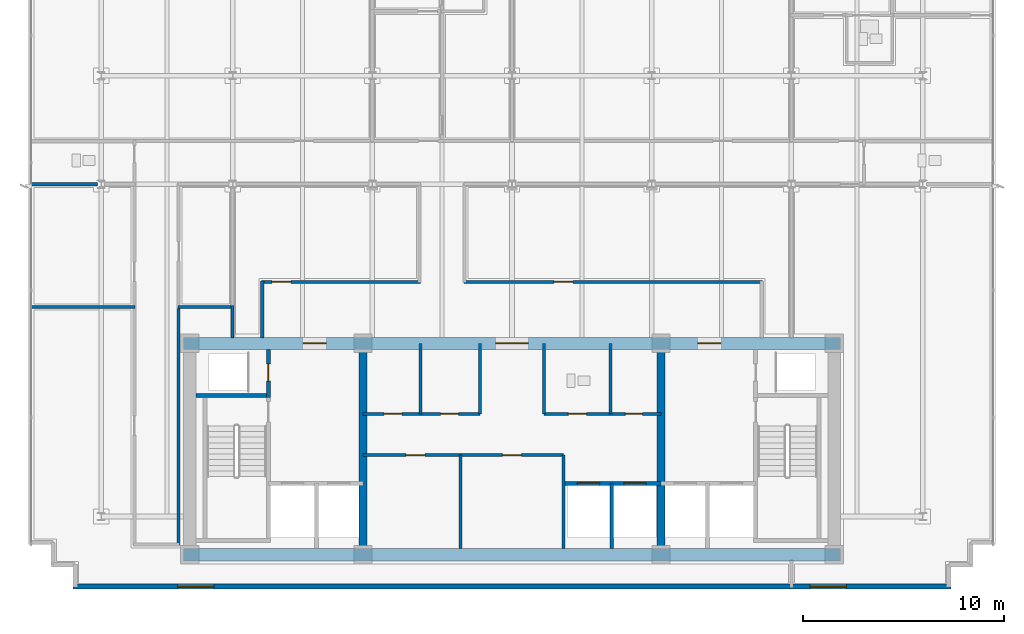
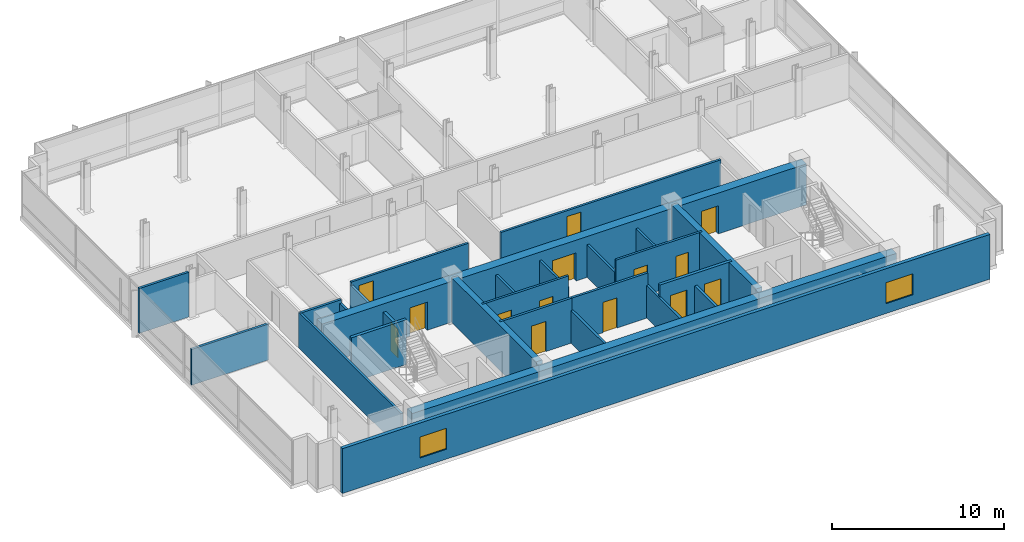
# One storey, part 10 of 18: 27 walls, 14 doors, 2 windows, 16 openings.
"""IFC4 building model written with IfcOpenShell, lengths in metres."""

import ifcopenshell
import ifcopenshell.guid

model = None  # the IFC model being written
_history = None  # IfcOwnerHistory: only IFC2X3 demands one
_inside = {}  # id of a spatial element -> (the spatial element, [elements in it])
_under = {}  # id of a project, library or spatial element -> (it, [spatial elements below it])
_declared = {}  # id of a project -> (the project, [libraries it declares])
_typed = {}  # id of a type object -> (the type object, [elements of that type])
_made_of = {}  # id of a material, layer set ... -> (it, [elements and type objects made of it])


def new_model(schema):
    """Start an empty IFC model of exactly this schema.

    Asked for "IFC4X3", IfcOpenShell would pick the latest addendum, in which some entities
    have other attributes; the version numbers below select the first issue.
    IFC2X3 requires an IfcOwnerHistory on every rooted entity: one is made here for all.
    """
    global model, _history
    if schema == "IFC4X3":
        model = ifcopenshell.file(schema_version=(4, 3, 0, 0))
    else:
        model = ifcopenshell.file(schema=schema)
    _inside.clear()
    _under.clear()
    _declared.clear()
    _typed.clear()
    _made_of.clear()
    _history = None
    if model.schema == "IFC2X3":
        org = make("IfcOrganization", Name="unknown")
        user = make(
            "IfcPersonAndOrganization",
            ThePerson=make("IfcPerson", FamilyName="unknown"),
            TheOrganization=org,
        )
        app = make(
            "IfcApplication",
            ApplicationDeveloper=org,
            Version="unknown",
            ApplicationFullName="unknown",
            ApplicationIdentifier="unknown",
        )
        _history = make(
            "IfcOwnerHistory",
            OwningUser=user,
            OwningApplication=app,
            ChangeAction="ADDED",
            CreationDate=0,
        )
    return model


def make(cls, **values):
    """One entity of the class cls with the attributes given. An attribute that is None is left unset."""
    return model.create_entity(
        cls, **{name: value for name, value in values.items() if value is not None}
    )


def rooted(cls, **values):
    """An entity with a GlobalId (a new one), such as an element, a storey or a relation."""
    return make(cls, GlobalId=ifcopenshell.guid.new(), OwnerHistory=_history, **values)


def si_unit(unit_type, name, prefix=None):
    """IfcSIUnit, for example si_unit("LENGTHUNIT", "METRE", prefix="MILLI")."""
    return make("IfcSIUnit", UnitType=unit_type, Prefix=prefix, Name=name)


def assignment(units):
    """IfcUnitAssignment: the units of a project."""
    return None if units is None else make("IfcUnitAssignment", Units=units)


def point(xyz):
    """IfcCartesianPoint."""
    return None if xyz is None else make("IfcCartesianPoint", Coordinates=xyz)


def direction(xyz):
    """IfcDirection."""
    return None if xyz is None else make("IfcDirection", DirectionRatios=xyz)


def frame(location, z_axis=None, x_axis=None):
    """IfcAxis2Placement3D, a coordinate frame: its origin and axes. An axis left out is left unset."""
    return make(
        "IfcAxis2Placement3D",
        Location=point(location),
        Axis=direction(z_axis),
        RefDirection=direction(x_axis),
    )


def frame_2d(location, x_axis=None):
    """IfcAxis2Placement2D, a coordinate frame in the plane: its origin and x axis."""
    return make(
        "IfcAxis2Placement2D", Location=point(location), RefDirection=direction(x_axis)
    )


def origin():
    """The frame at (0, 0, 0) with its axes left unset."""
    return frame((0.0, 0.0, 0.0))


def place(relative_to, where):
    """IfcLocalPlacement: puts the frame where relative to a parent placement (None: the world)."""
    return make(
        "IfcLocalPlacement", PlacementRelTo=relative_to, RelativePlacement=where
    )


def context(
    kind, dimensions, precision=None, world=None, true_north=None, identifier=None
):
    """IfcGeometricRepresentationContext, for example the 3D "Model" context."""
    return make(
        "IfcGeometricRepresentationContext",
        ContextIdentifier=identifier,
        ContextType=kind,
        CoordinateSpaceDimension=dimensions,
        Precision=precision,
        WorldCoordinateSystem=world,
        TrueNorth=true_north,
    )


def subcontext(parent, identifier, kind, view, scale=None):
    """IfcGeometricRepresentationSubContext, for example "Body" below "Model"."""
    return make(
        "IfcGeometricRepresentationSubContext",
        ContextIdentifier=identifier,
        ContextType=kind,
        ParentContext=parent,
        TargetScale=scale,
        TargetView=view,
    )


def project(units=None, contexts=None):
    """IfcProject with its units and contexts."""
    return rooted(
        "IfcProject",
        Name="project",
        RepresentationContexts=contexts,
        UnitsInContext=assignment(units),
    )


def spatial(cls, under=None, at=None, **own):
    """A site, building, storey or space (cls), placed at a placement, below another one or the project."""
    s = rooted(cls, ObjectPlacement=at, **own)
    if under is not None:
        _under.setdefault(under.id(), (under, []))[1].append(s)
    return s


def profile(cls, at=None, kind="AREA", **sizes):
    """A parametric profile (cls). Its sizes go by their IFC names, for example OverallWidth=200.0."""
    return make(cls, ProfileType=kind, Position=at, **sizes)


def rectangle(**sizes):
    """IfcRectangleProfileDef."""
    return profile("IfcRectangleProfileDef", **sizes)


def extrude(swept, where, along, depth):
    """IfcExtrudedAreaSolid: the profile swept, set in the frame where, extruded along a direction by depth."""
    return make(
        "IfcExtrudedAreaSolid",
        SweptArea=swept,
        Position=where,
        ExtrudedDirection=direction(along),
        Depth=depth,
    )


def shape(context_of_items, identifier, shape_type, items):
    """IfcShapeRepresentation: the items that make up one representation, for example the "Body"."""
    return make(
        "IfcShapeRepresentation",
        ContextOfItems=context_of_items,
        RepresentationIdentifier=identifier,
        RepresentationType=shape_type,
        Items=items,
    )


def material(Name=None, Category=None):
    """IfcMaterial."""
    return make("IfcMaterial", Name=Name, Category=Category)


def layer(
    of_material, thickness, ventilated=None, Name=None, Category=None, Priority=None
):
    """IfcMaterialLayer: one layer of a wall or slab, of a material (None: an air gap)."""
    return make(
        "IfcMaterialLayer",
        Material=of_material,
        LayerThickness=thickness,
        IsVentilated=ventilated,
        Name=Name,
        Category=Category,
        Priority=Priority,
    )


def layer_set(layers, Name=None):
    """IfcMaterialLayerSet."""
    return make("IfcMaterialLayerSet", MaterialLayers=layers, LayerSetName=Name)


def made_of(thing, what):
    """Note that an element or type object is made of a material, layer set ...; save() writes the relation."""
    if what is not None:
        _made_of.setdefault(what.id(), (what, []))[1].append(thing)
    return thing


def type_object(cls, material=None, **own):
    """A type object (cls), such as IfcWallType, which elements share."""
    return made_of(rooted(cls, **own), material)


def element(
    cls,
    number,
    at=None,
    inside=None,
    cuts=None,
    type_object=None,
    material=None,
    context=None,
    identifier="Body",
    shape_type=None,
    held_by="IfcProductDefinitionShape",
    body=None,
    shapes=None,
    **own,
):
    """One element of the class cls, such as IfcWall. Its Tag is "e" and its number.

    at: its placement. inside: the storey or other place that contains it. cuts: it is an
    opening in that element (IfcRelVoidsElement). A single representation is given by context,
    identifier, shape_type and body (its items); several are given by shapes. held_by: the class
    of the entity that holds the representations. save() writes the other relations.
    """
    e = rooted(cls, Tag="e%d" % number, ObjectPlacement=at, **own)
    if body is not None:
        shapes = [shape(context, identifier, shape_type, body)]
    if shapes is not None:
        e.Representation = make(held_by, Representations=shapes)
    if inside is not None:
        _inside.setdefault(inside.id(), (inside, []))[1].append(e)
    if cuts is not None:
        rooted(
            "IfcRelVoidsElement", RelatingBuildingElement=cuts, RelatedOpeningElement=e
        )
    if type_object is not None:
        _typed.setdefault(type_object.id(), (type_object, []))[1].append(e)
    return made_of(e, material)


def fill(opening, filler):
    """IfcRelFillsElement: the door or window that sits in an opening."""
    return rooted(
        "IfcRelFillsElement",
        RelatingOpeningElement=opening,
        RelatedBuildingElement=filler,
    )


def aggregate(whole, parts):
    """IfcRelAggregates: a whole, such as a stair, and the parts it consists of."""
    return rooted("IfcRelAggregates", RelatingObject=whole, RelatedObjects=parts)


def save(model, path):
    """Write the relations noted so far, then the file.

    IfcRelAggregates (storeys below a building ...), IfcRelContainedInSpatialStructure (elements
    in a storey), IfcRelDefinesByType, IfcRelAssociatesMaterial and IfcRelDeclares: one each for
    every whole, place, type object, material and project.
    """
    for whole, parts in _under.values():
        aggregate(whole, parts)
    for where, things in _inside.values():
        rooted(
            "IfcRelContainedInSpatialStructure",
            RelatedElements=things,
            RelatingStructure=where,
        )
    for kind, things in _typed.values():
        rooted("IfcRelDefinesByType", RelatedObjects=things, RelatingType=kind)
    for what, things in _made_of.values():
        rooted("IfcRelAssociatesMaterial", RelatedObjects=things, RelatingMaterial=what)
    for by, libraries in _declared.values():
        rooted("IfcRelDeclares", RelatingContext=by, RelatedDefinitions=libraries)
    model.write(path)


model = new_model("IFC4")

# Units and contexts
model_context = context("Model", 3, precision=1e-05, world=origin(), true_north=direction((0.0, 1.0)))
body_context = subcontext(model_context, "Body", "Model", "MODEL_VIEW")
ifc_project = project(units=[si_unit("LENGTHUNIT", "METRE"), si_unit("AREAUNIT", "SQUARE_METRE"), si_unit("VOLUMEUNIT", "CUBIC_METRE"), si_unit("PLANEANGLEUNIT", "RADIAN"), si_unit("MASSUNIT", "GRAM", prefix="KILO")], contexts=[model_context])

# Site, building, storey
site_placement = place(None, origin())
site = spatial("IfcSite", under=ifc_project, at=site_placement, CompositionType="ELEMENT")
building_placement = place(site_placement, origin())
building = spatial("IfcBuilding", under=site, at=building_placement, Name="Solmavex Isthmus Hotel", CompositionType="ELEMENT")
storey_placement = place(building_placement, frame((0.0, 0.0, 283.35009765625)))
storey = spatial("IfcBuildingStorey", under=building, at=storey_placement, Name="L77", CompositionType="ELEMENT", Elevation=283.35009765625)

# Wall, openings, windows
ifc_material_1 = material(Name="Precast Concrete C40/50", Category="concrete")
ifc_layer_1 = layer(ifc_material_1, 0.25)
ifc_layer_set_1 = layer_set([ifc_layer_1], Name="Precast Concrete C40/50")
wall_type_1 = type_object("IfcWallType", Name="EW-TWR-250", PredefinedType="STANDARD", material=ifc_layer_set_1)
wall_1_placement = place(storey_placement, frame((-21.800048828125, -14.580078125, 0.0), z_axis=(0.0, 0.0, 1.0), x_axis=(1.0, 0.0, 0.0)))
wall_1 = element("IfcWall", 1, at=wall_1_placement, inside=storey, type_object=wall_type_1, Name="Tower Rear South Facade Wall L77", PredefinedType="STANDARD", context=body_context, shape_type="SweptSolid", body=[
    extrude(rectangle(XDim=43.60009765625, YDim=0.239990234375, at=frame_2d((21.800048828125, 0.0))), origin(), (0.0, 0.0, 1.0), 3.18994140625),
])
opening_1_placement = place(wall_1_placement, frame((5.2041015625, 0.0, 0.699951171875)))
opening_1 = element("IfcOpeningElement", 2, at=opening_1_placement, cuts=wall_1, Name="Opening WN-02", PredefinedType="OPENING", context=body_context, shape_type="SweptSolid", body=[
    extrude(rectangle(XDim=1.800048828125, YDim=1.5, at=frame_2d((0.89990234375, 0.75))), frame((0.0, 0.1298828125, 0.0), z_axis=(0.0, -1.0, 0.0), x_axis=(1.0, 0.0, 0.0)), (0.0, 0.0, 1.0), 0.260009765625),
])
opening_2_placement = place(wall_1_placement, frame((36.595947265625, 0.0, 0.699951171875)))
opening_2 = element("IfcOpeningElement", 3, at=opening_2_placement, cuts=wall_1, Name="Opening WN-02", PredefinedType="OPENING", context=body_context, shape_type="SweptSolid", body=[
    extrude(rectangle(XDim=1.800048828125, YDim=1.5, at=frame_2d((0.89990234375, 0.75))), frame((0.0, 0.1298828125, 0.0), z_axis=(0.0, -1.0, 0.0), x_axis=(1.0, 0.0, 0.0)), (0.0, 0.0, 1.0), 0.260009765625),
])
ifc_material_2 = material(Name="Clear low-E laminated glass", Category="glass")
window_type = type_object("IfcWindowType", Name="WIN-TWR-1800", PartitioningType="SINGLE_PANEL", PredefinedType="WINDOW", material=ifc_material_2)
window_1_placement = place(opening_1_placement, origin())
window_1 = element("IfcWindow", 4, at=window_1_placement, inside=storey, type_object=window_type, Name="South Facade Vision Window L77-S1", OverallHeight=1.5, OverallWidth=1.800048828125, PartitioningType="SINGLE_PANEL", PredefinedType="WINDOW", context=body_context, shape_type="SweptSolid", body=[
    extrude(rectangle(XDim=1.800048828125, YDim=1.5, at=frame_2d((0.89990234375, 0.75))), frame((0.0, 0.030029296875, 0.0), z_axis=(0.0, -1.0, 0.0), x_axis=(1.0, 0.0, 0.0)), (0.0, 0.0, 1.0), 0.06005859375),
])
fill(opening_1, window_1)
window_2_placement = place(opening_2_placement, origin())
window_2 = element("IfcWindow", 5, at=window_2_placement, inside=storey, type_object=window_type, Name="South Facade Vision Window L77-S2", OverallHeight=1.5, OverallWidth=1.800048828125, PartitioningType="SINGLE_PANEL", PredefinedType="WINDOW", context=body_context, shape_type="SweptSolid", body=[
    extrude(rectangle(XDim=1.800048828125, YDim=1.5, at=frame_2d((0.89990234375, 0.75))), frame((0.0, 0.030029296875, 0.0), z_axis=(0.0, -1.0, 0.0), x_axis=(1.0, 0.0, 0.0)), (0.0, 0.0, 1.0), 0.06005859375),
])
fill(opening_2, window_2)

# Wall, opening, door
ifc_material_3 = material(Name="Gypsum plasterboard lining", Category="gypsum")
ifc_layer_2 = layer(ifc_material_3, 0.159912109375)
ifc_layer_set_2 = layer_set([ifc_layer_2], Name="Gypsum plasterboard lining")
wall_type_2 = type_object("IfcWallType", Name="IW-COMP-160", PredefinedType="PARTITIONING", material=ifc_layer_set_2)
wall_2_placement = place(storey_placement, frame((-7.39990234375, -8.050048828125, 0.0), z_axis=(0.0, 0.0, 1.0), x_axis=(1.0, 0.0, 0.0)))
wall_2 = element("IfcWall", 6, at=wall_2_placement, inside=storey, type_object=wall_type_2, Name="Interior Partition Wall W-L77-REC-PLL-N", PredefinedType="PARTITIONING", context=body_context, shape_type="SweptSolid", body=[
    extrude(rectangle(XDim=4.849853515625, YDim=0.159912109375, at=frame_2d((2.4248046875, 0.0))), origin(), (0.0, 0.0, 1.0), 3.18994140625),
])
opening_3_placement = place(wall_2_placement, frame((2.125, 0.0, 0.0)))
opening_3 = element("IfcOpeningElement", 7, at=opening_3_placement, cuts=wall_2, Name="Opening ID-C095", PredefinedType="OPENING", context=body_context, shape_type="SweptSolid", body=[
    extrude(rectangle(XDim=0.949951171875, YDim=2.14990234375, at=frame_2d((0.47509765625, 1.074951171875))), frame((0.0, 0.08984375, 0.0), z_axis=(0.0, -1.0, 0.0), x_axis=(1.0, 0.0, 0.0)), (0.0, 0.0, 1.0), 0.179931640625),
])
ifc_material_4 = material(Name="Hardwood timber", Category="wood")
door_type_1 = type_object("IfcDoorType", Name="IDR-FD60-0950", OperationType="NOTDEFINED", PredefinedType="DOOR", material=ifc_material_4)
door_1_placement = place(opening_3_placement, origin())
door_1 = element("IfcDoor", 8, at=door_1_placement, inside=storey, type_object=door_type_1, Name="Linen Reserve Door L77", OperationType="SINGLE_SWING_LEFT", OverallHeight=2.14990234375, OverallWidth=0.949951171875, PredefinedType="DOOR", context=body_context, shape_type="SweptSolid", body=[
    extrude(rectangle(XDim=0.949951171875, YDim=2.14990234375, at=frame_2d((0.47509765625, 1.074951171875))), frame((0.0, 0.02490234375, 0.0), z_axis=(0.0, -1.0, 0.0), x_axis=(1.0, 0.0, 0.0)), (0.0, 0.0, 1.0), 0.050048828125),
])
fill(opening_3, door_1)

# Wall
wall_3_placement = place(storey_placement, frame((-2.550048828125, -12.699951171875, 0.0), z_axis=(0.0, 0.0, 1.0), x_axis=(0.0, 1.0, 0.0)))
element("IfcWall", 9, at=wall_3_placement, inside=storey, type_object=wall_type_2, Name="Interior Partition Wall W-L77-REC-PLL-E", PredefinedType="PARTITIONING", context=body_context, shape_type="SweptSolid", body=[
    extrude(rectangle(XDim=4.64990234375, YDim=0.159912109375, at=frame_2d((2.324951171875, 0.0))), origin(), (0.0, 0.0, 1.0), 2.324951171875),
])

# Wall, opening, door
wall_4_placement = place(storey_placement, frame((-2.550048828125, -8.050048828125, 0.0), z_axis=(0.0, 0.0, 1.0), x_axis=(1.0, 0.0, 0.0)))
wall_4 = element("IfcWall", 10, at=wall_4_placement, inside=storey, type_object=wall_type_2, Name="Interior Partition Wall W-L77-REC-PLM-N", PredefinedType="PARTITIONING", context=body_context, shape_type="SweptSolid", body=[
    extrude(rectangle(XDim=5.10009765625, YDim=0.159912109375, at=frame_2d((2.550048828125, 0.0))), origin(), (0.0, 0.0, 1.0), 3.18994140625),
])
opening_4_placement = place(wall_4_placement, frame((2.074951171875, 0.0, 0.0)))
opening_4 = element("IfcOpeningElement", 11, at=opening_4_placement, cuts=wall_4, Name="Opening ID-C095", PredefinedType="OPENING", context=body_context, shape_type="SweptSolid", body=[
    extrude(rectangle(XDim=0.949951171875, YDim=2.14990234375, at=frame_2d((0.47509765625, 1.074951171875))), frame((0.0, 0.08984375, 0.0), z_axis=(0.0, -1.0, 0.0), x_axis=(1.0, 0.0, 0.0)), (0.0, 0.0, 1.0), 0.179931640625),
])
door_2_placement = place(opening_4_placement, origin())
door_2 = element("IfcDoor", 12, at=door_2_placement, inside=storey, type_object=door_type_1, Name="Butler Store Door L77", OperationType="SINGLE_SWING_RIGHT", OverallHeight=2.14990234375, OverallWidth=0.949951171875, PredefinedType="DOOR", context=body_context, shape_type="SweptSolid", body=[
    extrude(rectangle(XDim=0.949951171875, YDim=2.14990234375, at=frame_2d((0.47509765625, 1.074951171875))), frame((0.0, 0.02490234375, 0.0), z_axis=(0.0, -1.0, 0.0), x_axis=(1.0, 0.0, 0.0)), (0.0, 0.0, 1.0), 0.050048828125),
])
fill(opening_4, door_2)

# Walls
wall_5_placement = place(storey_placement, frame((2.550048828125, -12.699951171875, 0.0), z_axis=(0.0, 0.0, 1.0), x_axis=(0.0, 1.0, 0.0)))
element("IfcWall", 13, at=wall_5_placement, inside=storey, type_object=wall_type_2, Name="Interior Partition Wall W-L77-REC-PLM-E", PredefinedType="PARTITIONING", context=body_context, shape_type="SweptSolid", body=[
    extrude(rectangle(XDim=4.64990234375, YDim=0.159912109375, at=frame_2d((2.324951171875, 0.0))), origin(), (0.0, 0.0, 1.0), 2.324951171875),
])
wall_6_placement = place(storey_placement, frame((-20.574951171875, 5.39990234375, 0.0), z_axis=(0.0, 0.0, 1.0), x_axis=(-1.0, 0.0, 0.0)))
element("IfcWall", 14, at=wall_6_placement, inside=storey, type_object=wall_type_2, Name="Interior Partition Wall W-L77-P056", PredefinedType="PARTITIONING", context=body_context, shape_type="SweptSolid", body=[
    extrude(rectangle(XDim=3.344970703125, YDim=0.159912109375, at=frame_2d((1.67236328125, 0.0))), origin(), (0.0, 0.0, 1.0), 3.18994140625),
])
wall_7_placement = place(storey_placement, frame((-13.83203125, -0.699951171875, 0.0), z_axis=(0.0, 0.0, 1.0), x_axis=(-1.0, 0.0, 0.0)))
element("IfcWall", 15, at=wall_7_placement, inside=storey, type_object=wall_type_2, Name="Interior Partition Wall W-L77-P061", PredefinedType="PARTITIONING", context=body_context, shape_type="SweptSolid", body=[
    extrude(rectangle(XDim=2.758056640625, YDim=0.159912109375, at=frame_2d((1.37890625, 0.0))), origin(), (0.0, 0.0, 1.0), 2.572265625),
])
wall_8_placement = place(storey_placement, frame((-18.7099609375, -0.699951171875, 0.0), z_axis=(0.0, 0.0, 1.0), x_axis=(-1.0, 0.0, 0.0)))
element("IfcWall", 16, at=wall_8_placement, inside=storey, type_object=wall_type_2, Name="Interior Partition Wall W-L77-P062", PredefinedType="PARTITIONING", context=body_context, shape_type="SweptSolid", body=[
    extrude(rectangle(XDim=5.2099609375, YDim=0.159912109375, at=frame_2d((2.60498046875, 0.0))), origin(), (0.0, 0.0, 1.0), 2.557373046875),
])
wall_9_placement = place(storey_placement, frame((-13.8720703125, -2.239990234375, 0.0), z_axis=(0.0, 0.0, 1.0), x_axis=(0.0, 1.0, 0.0)))
element("IfcWall", 17, at=wall_9_placement, inside=storey, type_object=wall_type_2, Name="Interior Partition Wall W-L77-P063", PredefinedType="PARTITIONING", context=body_context, shape_type="SweptSolid", body=[
    extrude(rectangle(XDim=1.6220703125, YDim=0.159912109375, at=frame_2d((0.81103515625, 0.0))), origin(), (0.0, 0.0, 1.0), 2.324951171875),
])

# Wall, openings, doors
ifc_layer_3 = layer(ifc_material_3, 0.14990234375)
ifc_layer_set_3 = layer_set([ifc_layer_3], Name="Gypsum plasterboard lining")
wall_type_3 = type_object("IfcWallType", Name="IW-CORR-150", PredefinedType="PARTITIONING", material=ifc_layer_set_3)
wall_10_placement = place(storey_placement, frame((-7.39990234375, -6.0, 0.0), z_axis=(0.0, 0.0, 1.0), x_axis=(1.0, 0.0, 0.0)))
wall_10 = element("IfcWall", 18, at=wall_10_placement, inside=storey, type_object=wall_type_3, Name="Interior Partition Wall W-L77-BOH-WS", PredefinedType="PARTITIONING", context=body_context, shape_type="SweptSolid", body=[
    extrude(rectangle(XDim=5.7998046875, YDim=0.14990234375, at=frame_2d((2.89990234375, 0.0))), origin(), (0.0, 0.0, 1.0), 3.18994140625),
])
opening_5_placement = place(wall_10_placement, frame((1.050048828125, 0.0, 0.0)))
opening_5 = element("IfcOpeningElement", 19, at=opening_5_placement, cuts=wall_10, Name="Opening ID-C090", PredefinedType="OPENING", context=body_context, shape_type="SweptSolid", body=[
    extrude(rectangle(XDim=0.89990234375, YDim=2.10009765625, at=frame_2d((0.449951171875, 1.050048828125))), frame((0.0, 0.0849609375, 0.0), z_axis=(0.0, -1.0, 0.0), x_axis=(1.0, 0.0, 0.0)), (0.0, 0.0, 1.0), 0.169921875),
])
opening_6_placement = place(wall_10_placement, frame((3.85009765625, 0.0, 0.0)))
opening_6 = element("IfcOpeningElement", 20, at=opening_6_placement, cuts=wall_10, Name="Opening ID-C090", PredefinedType="OPENING", context=body_context, shape_type="SweptSolid", body=[
    extrude(rectangle(XDim=0.89990234375, YDim=2.10009765625, at=frame_2d((0.449951171875, 1.050048828125))), frame((0.0, 0.0849609375, 0.0), z_axis=(0.0, -1.0, 0.0), x_axis=(1.0, 0.0, 0.0)), (0.0, 0.0, 1.0), 0.169921875),
])
door_type_2 = type_object("IfcDoorType", Name="IDR-FD60-0900", OperationType="NOTDEFINED", PredefinedType="DOOR", material=ifc_material_4)
door_3_placement = place(opening_5_placement, frame((0.89990234375, 0.0, 0.0), z_axis=(0.0, 0.0, 1.0), x_axis=(-1.0, 0.0, 0.0)))
door_3 = element("IfcDoor", 21, at=door_3_placement, inside=storey, type_object=door_type_2, Name="Linen Room Door L77", OperationType="SINGLE_SWING_LEFT", OverallHeight=2.10009765625, OverallWidth=0.89990234375, PredefinedType="DOOR", context=body_context, shape_type="SweptSolid", body=[
    extrude(rectangle(XDim=0.89990234375, YDim=2.10009765625, at=frame_2d((0.449951171875, 1.050048828125))), frame((0.0, 0.02490234375, 0.0), z_axis=(0.0, -1.0, 0.0), x_axis=(1.0, 0.0, 0.0)), (0.0, 0.0, 1.0), 0.050048828125),
])
fill(opening_5, door_3)
door_4_placement = place(opening_6_placement, frame((0.89990234375, 0.0, 0.0), z_axis=(0.0, 0.0, 1.0), x_axis=(-1.0, 0.0, 0.0)))
door_4 = element("IfcDoor", 22, at=door_4_placement, inside=storey, type_object=door_type_2, Name="Ice Pantry Door L77", OperationType="SINGLE_SWING_RIGHT", OverallHeight=2.10009765625, OverallWidth=0.89990234375, PredefinedType="DOOR", context=body_context, shape_type="SweptSolid", body=[
    extrude(rectangle(XDim=0.89990234375, YDim=2.10009765625, at=frame_2d((0.449951171875, 1.050048828125))), frame((0.0, 0.02490234375, 0.0), z_axis=(0.0, -1.0, 0.0), x_axis=(1.0, 0.0, 0.0)), (0.0, 0.0, 1.0), 0.050048828125),
])
fill(opening_6, door_4)

# Wall
wall_11_placement = place(storey_placement, frame((-1.60009765625, -6.0, 0.0), z_axis=(0.0, 0.0, 1.0), x_axis=(0.0, 1.0, 0.0)))
element("IfcWall", 23, at=wall_11_placement, inside=storey, type_object=wall_type_3, Name="Interior Partition Wall W-L77-BOH-WE", PredefinedType="PARTITIONING", context=body_context, shape_type="SweptSolid", body=[
    extrude(rectangle(XDim=3.5, YDim=0.14990234375, at=frame_2d((1.75, 0.0))), origin(), (0.0, 0.0, 1.0), 2.324951171875),
])

# Wall, openings, doors
wall_12_placement = place(storey_placement, frame((1.60009765625, -6.0, 0.0), z_axis=(0.0, 0.0, 1.0), x_axis=(1.0, 0.0, 0.0)))
wall_12 = element("IfcWall", 24, at=wall_12_placement, inside=storey, type_object=wall_type_3, Name="Interior Partition Wall W-L77-BOH-ES", PredefinedType="PARTITIONING", context=body_context, shape_type="SweptSolid", body=[
    extrude(rectangle(XDim=5.7998046875, YDim=0.14990234375, at=frame_2d((2.89990234375, 0.0))), origin(), (0.0, 0.0, 1.0), 3.18994140625),
])
opening_7_placement = place(wall_12_placement, frame((1.199951171875, 0.0, 0.0)))
opening_7 = element("IfcOpeningElement", 25, at=opening_7_placement, cuts=wall_12, Name="Opening ID-C090", PredefinedType="OPENING", context=body_context, shape_type="SweptSolid", body=[
    extrude(rectangle(XDim=0.89990234375, YDim=2.10009765625, at=frame_2d((0.449951171875, 1.050048828125))), frame((0.0, 0.0849609375, 0.0), z_axis=(0.0, -1.0, 0.0), x_axis=(1.0, 0.0, 0.0)), (0.0, 0.0, 1.0), 0.169921875),
])
opening_8_placement = place(wall_12_placement, frame((4.02490234375, 0.0, 0.0)))
opening_8 = element("IfcOpeningElement", 26, at=opening_8_placement, cuts=wall_12, Name="Opening ID-R085", PredefinedType="OPENING", context=body_context, shape_type="SweptSolid", body=[
    extrude(rectangle(XDim=0.85009765625, YDim=2.050048828125, at=frame_2d((0.425048828125, 1.02490234375))), frame((0.0, 0.0849609375, 0.0), z_axis=(0.0, -1.0, 0.0), x_axis=(1.0, 0.0, 0.0)), (0.0, 0.0, 1.0), 0.169921875),
])
ifc_material_5 = material(Name="Steel ASTM A500 Grade C", Category="steel")
door_type_3 = type_object("IfcDoorType", Name="IDR-FD60-0850", OperationType="NOTDEFINED", PredefinedType="DOOR", material=ifc_material_5)
door_5_placement = place(opening_8_placement, frame((0.85009765625, 0.0, 0.0), z_axis=(0.0, 0.0, 1.0), x_axis=(-1.0, 0.0, 0.0)))
door_5 = element("IfcDoor", 27, at=door_5_placement, inside=storey, type_object=door_type_3, Name="IT Room Door L77", OperationType="SINGLE_SWING_RIGHT", OverallHeight=2.050048828125, OverallWidth=0.85009765625, PredefinedType="DOOR", context=body_context, shape_type="SweptSolid", body=[
    extrude(rectangle(XDim=0.85009765625, YDim=2.050048828125, at=frame_2d((0.425048828125, 1.02490234375))), frame((0.0, 0.02490234375, 0.0), z_axis=(0.0, -1.0, 0.0), x_axis=(1.0, 0.0, 0.0)), (0.0, 0.0, 1.0), 0.050048828125),
])
fill(opening_8, door_5)
door_6_placement = place(opening_7_placement, frame((0.89990234375, 0.0, 0.0), z_axis=(0.0, 0.0, 1.0), x_axis=(-1.0, 0.0, 0.0)))
door_6 = element("IfcDoor", 28, at=door_6_placement, inside=storey, type_object=door_type_2, Name="Staff Restroom Door L77", OperationType="SINGLE_SWING_LEFT", OverallHeight=2.10009765625, OverallWidth=0.89990234375, PredefinedType="DOOR", context=body_context, shape_type="SweptSolid", body=[
    extrude(rectangle(XDim=0.89990234375, YDim=2.10009765625, at=frame_2d((0.449951171875, 1.050048828125))), frame((0.0, 0.02490234375, 0.0), z_axis=(0.0, -1.0, 0.0), x_axis=(1.0, 0.0, 0.0)), (0.0, 0.0, 1.0), 0.050048828125),
])
fill(opening_7, door_6)

# Walls
wall_13_placement = place(storey_placement, frame((1.60009765625, -6.0, 0.0), z_axis=(0.0, 0.0, 1.0), x_axis=(0.0, 1.0, 0.0)))
element("IfcWall", 29, at=wall_13_placement, inside=storey, type_object=wall_type_3, Name="Interior Partition Wall W-L77-BOH-EW", PredefinedType="PARTITIONING", context=body_context, shape_type="SweptSolid", body=[
    extrude(rectangle(XDim=3.5, YDim=0.14990234375, at=frame_2d((1.75, 0.0))), origin(), (0.0, 0.0, 1.0), 2.324951171875),
])
wall_14_placement = place(storey_placement, frame((-12.39990234375, -2.239990234375, 0.0), z_axis=(0.0, 0.0, 1.0), x_axis=(0.0, 1.0, 0.0)))
element("IfcWall", 30, at=wall_14_placement, inside=storey, type_object=wall_type_3, Name="Interior Partition Wall W-L77-P011", PredefinedType="PARTITIONING", context=body_context, shape_type="SweptSolid", body=[
    extrude(rectangle(XDim=2.830078125, YDim=0.14990234375, at=frame_2d((1.4150390625, 0.0))), origin(), (0.0, 0.0, 1.0), 2.324951171875),
])

# Wall, opening, door
wall_15_placement = place(storey_placement, frame((-12.43994140625, 0.550048828125, 0.0), z_axis=(0.0, 0.0, 1.0), x_axis=(1.0, 0.0, 0.0)))
wall_15 = element("IfcWall", 31, at=wall_15_placement, inside=storey, type_object=wall_type_3, Name="Interior Partition Wall W-L77-P012", PredefinedType="PARTITIONING", context=body_context, shape_type="SweptSolid", body=[
    extrude(rectangle(XDim=7.891845703125, YDim=0.14990234375, at=frame_2d((3.94580078125, 0.0))), origin(), (0.0, 0.0, 1.0), 2.572265625),
])
opening_9_placement = place(wall_15_placement, frame((0.51806640625, 0.0, 0.0)))
opening_9 = element("IfcOpeningElement", 32, at=opening_9_placement, cuts=wall_15, Name="Opening ID-C095", PredefinedType="OPENING", context=body_context, shape_type="SweptSolid", body=[
    extrude(rectangle(XDim=0.949951171875, YDim=2.14990234375, at=frame_2d((0.47509765625, 1.074951171875))), frame((0.0, 0.0849609375, 0.0), z_axis=(0.0, -1.0, 0.0), x_axis=(1.0, 0.0, 0.0)), (0.0, 0.0, 1.0), 0.169921875),
])
door_7_placement = place(opening_9_placement, origin())
door_7 = element("IfcDoor", 33, at=door_7_placement, inside=storey, type_object=door_type_1, Name="Sky Sommelier Bar Door L77-15", OperationType="SINGLE_SWING_LEFT", OverallHeight=2.14990234375, OverallWidth=0.949951171875, PredefinedType="DOOR", context=body_context, shape_type="SweptSolid", body=[
    extrude(rectangle(XDim=0.949951171875, YDim=2.14990234375, at=frame_2d((0.47509765625, 1.074951171875))), frame((0.0, 0.02490234375, 0.0), z_axis=(0.0, -1.0, 0.0), x_axis=(1.0, 0.0, 0.0)), (0.0, 0.0, 1.0), 0.050048828125),
])
fill(opening_9, door_7)

wall_16_placement = place(storey_placement, frame((-2.387939453125, 0.550048828125, 0.0), z_axis=(0.0, 0.0, 1.0), x_axis=(1.0, 0.0, 0.0)))
wall_16 = element("IfcWall", 34, at=wall_16_placement, inside=storey, type_object=wall_type_3, Name="Interior Partition Wall W-L77-P023", PredefinedType="PARTITIONING", context=body_context, shape_type="SweptSolid", body=[
    extrude(rectangle(XDim=14.827880859375, YDim=0.14990234375, at=frame_2d((7.4140625, 0.0))), origin(), (0.0, 0.0, 1.0), 2.572265625),
])
opening_10_placement = place(wall_16_placement, frame((4.461181640625, 0.0, 0.0)))
opening_10 = element("IfcOpeningElement", 35, at=opening_10_placement, cuts=wall_16, Name="Opening ID-C095", PredefinedType="OPENING", context=body_context, shape_type="SweptSolid", body=[
    extrude(rectangle(XDim=0.949951171875, YDim=2.14990234375, at=frame_2d((0.47509765625, 1.074951171875))), frame((0.0, 0.0849609375, 0.0), z_axis=(0.0, -1.0, 0.0), x_axis=(1.0, 0.0, 0.0)), (0.0, 0.0, 1.0), 0.169921875),
])
door_8_placement = place(opening_10_placement, frame((0.949951171875, 0.0, 0.0), z_axis=(0.0, 0.0, 1.0), x_axis=(-1.0, 0.0, 0.0)))
door_8 = element("IfcDoor", 36, at=door_8_placement, inside=storey, type_object=door_type_1, Name="Private Dining Boardroom Door L77-16", OperationType="SINGLE_SWING_RIGHT", OverallHeight=2.14990234375, OverallWidth=0.949951171875, PredefinedType="DOOR", context=body_context, shape_type="SweptSolid", body=[
    extrude(rectangle(XDim=0.949951171875, YDim=2.14990234375, at=frame_2d((0.47509765625, 1.074951171875))), frame((0.0, 0.02490234375, 0.0), z_axis=(0.0, -1.0, 0.0), x_axis=(1.0, 0.0, 0.0)), (0.0, 0.0, 1.0), 0.050048828125),
])
fill(opening_10, door_8)

# Walls
wall_17_placement = place(storey_placement, frame((-16.550048828125, -0.617919921875, 0.0), z_axis=(0.0, 0.0, 1.0), x_axis=(0.0, -1.0, 0.0)))
element("IfcWall", 37, at=wall_17_placement, inside=storey, type_object=wall_type_3, Name="Interior Partition Wall W-L77-P025", PredefinedType="PARTITIONING", context=body_context, shape_type="SweptSolid", body=[
    extrude(rectangle(XDim=11.922119140625, YDim=0.14990234375, at=frame_2d((5.9609375, 0.0))), origin(), (0.0, 0.0, 1.0), 2.557373046875),
])
ifc_layer_4 = layer(ifc_material_3, 0.1201171875)
ifc_layer_set_4 = layer_set([ifc_layer_4], Name="Gypsum plasterboard lining")
wall_type_4 = type_object("IfcWallType", Name="IW-PART-120", PredefinedType="PARTITIONING", material=ifc_layer_set_4)
for number, where, z_axis, x_axis, name in (
    (38, (-4.550048828125, -6.0, 0.0), (0.0, 0.0, 1.0), (0.0, 1.0, 0.0), "Interior Partition Wall W-L77-BOH-WM2"),
    (39, (4.89990234375, -6.0, 0.0), (0.0, 0.0, 1.0), (0.0, 1.0, 0.0), "Interior Partition Wall W-L77-BOH-EM2"),
):
    element("IfcWall", number, at=place(storey_placement, frame(where, z_axis=z_axis, x_axis=x_axis)), inside=storey, type_object=wall_type_4, Name=name, PredefinedType="PARTITIONING", context=body_context, shape_type="SweptSolid", body=[
        extrude(rectangle(XDim=3.5, YDim=0.14990234375, at=frame_2d((1.75, 0.0))), origin(), (0.0, 0.0, 1.0), 2.324951171875),
    ])
ifc_material_6 = material(Name="Concrete C40/50", Category="concrete")
ifc_layer_5 = layer(ifc_material_6, 0.179931640625)
ifc_layer_set_5 = layer_set([ifc_layer_5], Name="Concrete C40/50")
wall_type_5 = type_object("IfcWallType", Name="IW-SHAFT-180", PredefinedType="PARTITIONING", material=ifc_layer_set_5)
wall_18_placement = place(storey_placement, frame((4.949951171875, -12.699951171875, 0.0), z_axis=(0.0, 0.0, 1.0), x_axis=(0.0, 1.0, 0.0)))
element("IfcWall", 40, at=wall_18_placement, inside=storey, type_object=wall_type_5, Name="Interior Partition Wall W-L77-SH-PLH-M", PredefinedType="PARTITIONING", context=body_context, shape_type="SweptSolid", body=[
    extrude(rectangle(XDim=3.25, YDim=0.179931640625, at=frame_2d((1.625, 0.0))), origin(), (0.0, 0.0, 1.0), 2.324951171875),
])

# Wall, opening, door
ifc_layer_6 = layer(ifc_material_6, 0.199951171875)
ifc_layer_set_6 = layer_set([ifc_layer_6], Name="Concrete C40/50")
wall_type_6 = type_object("IfcWallType", Name="IW-SHAFT-200", PredefinedType="PARTITIONING", material=ifc_layer_set_6)
wall_19_placement = place(storey_placement, frame((-12.10009765625, -5.199951171875, 0.0), z_axis=(0.0, 0.0, 1.0), x_axis=(0.0, 1.0, 0.0)))
wall_19 = element("IfcWall", 41, at=wall_19_placement, inside=storey, type_object=wall_type_6, Name="Interior Partition Wall W-L77-RSW-E", PredefinedType="PARTITIONING", context=body_context, shape_type="SweptSolid", body=[
    extrude(rectangle(XDim=2.39990234375, YDim=0.199951171875, at=frame_2d((1.199951171875, 0.0))), origin(), (0.0, 0.0, 1.0), 2.324951171875),
])
opening_11_placement = place(wall_19_placement, frame((0.824951171875, 0.0, 0.0)))
opening_11 = element("IfcOpeningElement", 42, at=opening_11_placement, cuts=wall_19, Name="Opening ID-R085", PredefinedType="OPENING", context=body_context, shape_type="SweptSolid", body=[
    extrude(rectangle(XDim=0.85009765625, YDim=2.050048828125, at=frame_2d((0.425048828125, 1.02490234375))), frame((0.0, 0.10986328125, 0.0), z_axis=(0.0, -1.0, 0.0), x_axis=(1.0, 0.0, 0.0)), (0.0, 0.0, 1.0), 0.219970703125),
])
door_9_placement = place(opening_11_placement, origin())
door_9 = element("IfcDoor", 43, at=door_9_placement, inside=storey, type_object=door_type_3, Name="Electrical Riser Door L77", OperationType="SINGLE_SWING_RIGHT", OverallHeight=2.050048828125, OverallWidth=0.85009765625, PredefinedType="DOOR", context=body_context, shape_type="SweptSolid", body=[
    extrude(rectangle(XDim=0.85009765625, YDim=2.050048828125, at=frame_2d((0.425048828125, 1.02490234375))), frame((0.0, 0.02490234375, 0.0), z_axis=(0.0, -1.0, 0.0), x_axis=(1.0, 0.0, 0.0)), (0.0, 0.0, 1.0), 0.050048828125),
])
fill(opening_11, door_9)

# Wall, openings, doors
wall_20_placement = place(storey_placement, frame((2.550048828125, -9.449951171875, 0.0), z_axis=(0.0, 0.0, 1.0), x_axis=(1.0, 0.0, 0.0)))
wall_20 = element("IfcWall", 44, at=wall_20_placement, inside=storey, type_object=wall_type_6, Name="Interior Partition Wall W-L77-SH-PLH", PredefinedType="PARTITIONING", context=body_context, shape_type="SweptSolid", body=[
    extrude(rectangle(XDim=4.849853515625, YDim=0.199951171875, at=frame_2d((2.4248046875, 0.0))), origin(), (0.0, 0.0, 1.0), 3.18994140625),
])
opening_12_placement = place(wall_20_placement, frame((0.699951171875, 0.0, 0.0)))
opening_12 = element("IfcOpeningElement", 45, at=opening_12_placement, cuts=wall_20, Name="Opening LD-PL", PredefinedType="OPENING", context=body_context, shape_type="SweptSolid", body=[
    extrude(rectangle(XDim=1.10009765625, YDim=2.199951171875, at=frame_2d((0.550048828125, 1.10009765625))), frame((0.0, 0.10986328125, 0.0), z_axis=(0.0, -1.0, 0.0), x_axis=(1.0, 0.0, 0.0)), (0.0, 0.0, 1.0), 0.219970703125),
])
opening_13_placement = place(wall_20_placement, frame((3.0, 0.0, 0.0)))
opening_13 = element("IfcOpeningElement", 46, at=opening_13_placement, cuts=wall_20, Name="Opening LD-PL", PredefinedType="OPENING", context=body_context, shape_type="SweptSolid", body=[
    extrude(rectangle(XDim=1.10009765625, YDim=2.199951171875, at=frame_2d((0.550048828125, 1.10009765625))), frame((0.0, 0.10986328125, 0.0), z_axis=(0.0, -1.0, 0.0), x_axis=(1.0, 0.0, 0.0)), (0.0, 0.0, 1.0), 0.219970703125),
])
ifc_material_7 = material(Name="Stainless steel 316", Category="steel")
door_type_4 = type_object("IfcDoorType", Name="LDR-PL-1100", OperationType="NOTDEFINED", PredefinedType="DOOR", material=ifc_material_7)
door_10_placement = place(opening_12_placement, origin())
door_10 = element("IfcDoor", 47, at=door_10_placement, inside=storey, type_object=door_type_4, Name="Lift Landing Door PLH1 L77", OperationType="SLIDING_TO_LEFT", OverallHeight=2.199951171875, OverallWidth=1.10009765625, PredefinedType="DOOR", context=body_context, shape_type="SweptSolid", body=[
    extrude(rectangle(XDim=1.10009765625, YDim=2.199951171875, at=frame_2d((0.550048828125, 1.10009765625))), frame((0.0, 0.02490234375, 0.0), z_axis=(0.0, -1.0, 0.0), x_axis=(1.0, 0.0, 0.0)), (0.0, 0.0, 1.0), 0.050048828125),
])
fill(opening_12, door_10)
door_11_placement = place(opening_13_placement, origin())
door_11 = element("IfcDoor", 48, at=door_11_placement, inside=storey, type_object=door_type_4, Name="Lift Landing Door PLH2 L77", OperationType="SLIDING_TO_LEFT", OverallHeight=2.199951171875, OverallWidth=1.10009765625, PredefinedType="DOOR", context=body_context, shape_type="SweptSolid", body=[
    extrude(rectangle(XDim=1.10009765625, YDim=2.199951171875, at=frame_2d((0.550048828125, 1.10009765625))), frame((0.0, 0.02490234375, 0.0), z_axis=(0.0, -1.0, 0.0), x_axis=(1.0, 0.0, 0.0)), (0.0, 0.0, 1.0), 0.050048828125),
])
fill(opening_13, door_11)

# Walls
ifc_material_8 = material(Name="Concrete C50/60", Category="concrete")
ifc_layer_7 = layer(ifc_material_8, 0.39990234375)
ifc_layer_set_7 = layer_set([ifc_layer_7], Name="Concrete C50/60")
wall_type_7 = type_object("IfcWallType", Name="WALL-CW-400H", PredefinedType="SHEAR", material=ifc_layer_set_7)
for number, where, z_axis, x_axis, name in (
    (49, (-7.39990234375, -12.699951171875, 0.0), (0.0, 0.0, 1.0), (0.0, 1.0, 0.0), "Core Cross Shear Wall C1 L77"),
    (50, (7.39990234375, -12.699951171875, 0.0), (0.0, 0.0, 1.0), (0.0, 1.0, 0.0), "Core Cross Shear Wall C2 L77"),
):
    element("IfcWall", number, at=place(storey_placement, frame(where, z_axis=z_axis, x_axis=x_axis)), inside=storey, type_object=wall_type_7, Name=name, PredefinedType="SHEAR", context=body_context, shape_type="SweptSolid", body=[
        extrude(rectangle(XDim=9.89990234375, YDim=0.39990234375, at=frame_2d((4.949951171875, 0.0))), origin(), (0.0, 0.0, 1.0), 3.18994140625),
    ])
ifc_layer_8 = layer(ifc_material_8, 0.60009765625)
ifc_layer_set_8 = layer_set([ifc_layer_8], Name="Concrete C50/60")
wall_type_8 = type_object("IfcWallType", Name="WALL-CW-600", PredefinedType="SHEAR", material=ifc_layer_set_8)
wall_21_placement = place(storey_placement, frame((-16.300048828125, -13.0, 0.0), z_axis=(0.0, 0.0, 1.0), x_axis=(1.0, 0.0, 0.0)))
element("IfcWall", 51, at=wall_21_placement, inside=storey, type_object=wall_type_8, Name="Core Shear Wall South L77", PredefinedType="SHEAR", context=body_context, shape_type="SweptSolid", body=[
    extrude(rectangle(XDim=32.60009765625, YDim=0.60009765625, at=frame_2d((16.300048828125, 0.0))), origin(), (0.0, 0.0, 1.0), 2.909912109375),
])

# Wall, openings, doors
wall_22_placement = place(storey_placement, frame((-16.300048828125, -2.5, 0.0), z_axis=(0.0, 0.0, 1.0), x_axis=(1.0, 0.0, 0.0)))
wall_22 = element("IfcWall", 52, at=wall_22_placement, inside=storey, type_object=wall_type_8, Name="Core Shear Wall North L77", PredefinedType="SHEAR", context=body_context, shape_type="SweptSolid", body=[
    extrude(rectangle(XDim=32.60009765625, YDim=0.60009765625, at=frame_2d((16.300048828125, 0.0))), origin(), (0.0, 0.0, 1.0), 2.909912109375),
])
opening_14_placement = place(wall_22_placement, frame((5.925048828125, 0.0, 0.0)))
opening_14 = element("IfcOpeningElement", 53, at=opening_14_placement, cuts=wall_22, Name="Opening ID-F915", PredefinedType="OPENING", context=body_context, shape_type="SweptSolid", body=[
    extrude(rectangle(XDim=1.14990234375, YDim=2.0, at=frame_2d((0.574951171875, 1.0))), frame((0.0, 0.31005859375, 0.0), z_axis=(0.0, -1.0, 0.0), x_axis=(1.0, 0.0, 0.0)), (0.0, 0.0, 1.0), 0.6201171875),
])
opening_15_placement = place(wall_22_placement, frame((15.5, 0.0, 0.0)))
opening_15 = element("IfcOpeningElement", 54, at=opening_15_placement, cuts=wall_22, Name="Opening ID-F960", PredefinedType="OPENING", context=body_context, shape_type="SweptSolid", body=[
    extrude(rectangle(XDim=1.60009765625, YDim=2.0, at=frame_2d((0.800048828125, 1.0))), frame((0.0, 0.31005859375, 0.0), z_axis=(0.0, -1.0, 0.0), x_axis=(1.0, 0.0, 0.0)), (0.0, 0.0, 1.0), 0.6201171875),
])
opening_16_placement = place(wall_22_placement, frame((25.52490234375, 0.0, 0.0)))
opening_16 = element("IfcOpeningElement", 55, at=opening_16_placement, cuts=wall_22, Name="Opening ID-F915", PredefinedType="OPENING", context=body_context, shape_type="SweptSolid", body=[
    extrude(rectangle(XDim=1.14990234375, YDim=2.0, at=frame_2d((0.574951171875, 1.0))), frame((0.0, 0.31005859375, 0.0), z_axis=(0.0, -1.0, 0.0), x_axis=(1.0, 0.0, 0.0)), (0.0, 0.0, 1.0), 0.6201171875),
])
door_type_5 = type_object("IfcDoorType", Name="IDR-FD90-1150C", OperationType="NOTDEFINED", PredefinedType="DOOR", material=ifc_material_5)
door_12_placement = place(opening_14_placement, origin())
door_12 = element("IfcDoor", 56, at=door_12_placement, inside=storey, type_object=door_type_5, Name="Firefighting Lobby West Exit Door L77", OperationType="SINGLE_SWING_LEFT", OverallHeight=2.0, OverallWidth=1.14990234375, PredefinedType="DOOR", context=body_context, shape_type="SweptSolid", body=[
    extrude(rectangle(XDim=1.14990234375, YDim=2.0, at=frame_2d((0.574951171875, 1.0))), frame((0.0, 0.02490234375, 0.0), z_axis=(0.0, -1.0, 0.0), x_axis=(1.0, 0.0, 0.0)), (0.0, 0.0, 1.0), 0.050048828125),
])
fill(opening_14, door_12)
door_13_placement = place(opening_16_placement, origin())
door_13 = element("IfcDoor", 57, at=door_13_placement, inside=storey, type_object=door_type_5, Name="Firefighting Lobby East Exit Door L77", OperationType="SINGLE_SWING_RIGHT", OverallHeight=2.0, OverallWidth=1.14990234375, PredefinedType="DOOR", context=body_context, shape_type="SweptSolid", body=[
    extrude(rectangle(XDim=1.14990234375, YDim=2.0, at=frame_2d((0.574951171875, 1.0))), frame((0.0, 0.02490234375, 0.0), z_axis=(0.0, -1.0, 0.0), x_axis=(1.0, 0.0, 0.0)), (0.0, 0.0, 1.0), 0.050048828125),
])
fill(opening_16, door_13)
door_type_6 = type_object("IfcDoorType", Name="IDR-FD90-1600C", OperationType="NOTDEFINED", PredefinedType="DOOR", material=ifc_material_5)
door_14_placement = place(opening_15_placement, origin())
door_14 = element("IfcDoor", 58, at=door_14_placement, inside=storey, type_object=door_type_6, Name="Central Lift Lobby Door L77", OperationType="DOUBLE_DOOR_SINGLE_SWING", OverallHeight=2.0, OverallWidth=1.60009765625, PredefinedType="DOOR", context=body_context, shape_type="SweptSolid", body=[
    extrude(rectangle(XDim=1.60009765625, YDim=2.0, at=frame_2d((0.800048828125, 1.0))), frame((0.0, 0.02490234375, 0.0), z_axis=(0.0, -1.0, 0.0), x_axis=(1.0, 0.0, 0.0)), (0.0, 0.0, 1.0), 0.050048828125),
])
fill(opening_15, door_14)

# Wall
ifc_layer_9 = layer(ifc_material_6, 0.199951171875)
ifc_layer_set_9 = layer_set([ifc_layer_9], Name="Concrete C40/50")
wall_type_9 = type_object("IfcWallType", Name="WALL-SW-200", PredefinedType="SOLIDWALL", material=ifc_layer_set_9)
wall_23_placement = place(storey_placement, frame((-15.699951171875, -5.10009765625, 0.0), z_axis=(0.0, 0.0, 1.0), x_axis=(1.0, 0.0, 0.0)))
element("IfcWall", 59, at=wall_23_placement, inside=storey, type_object=wall_type_9, Name="Stairwell Structural Wall SW-L77-ST1-N", PredefinedType="SOLIDWALL", context=body_context, shape_type="SweptSolid", body=[
    extrude(rectangle(XDim=3.699951171875, YDim=0.199951171875, at=frame_2d((1.85009765625, 0.0))), origin(), (0.0, 0.0, 1.0), 3.18994140625),
])

save(model, "model.ifc")
